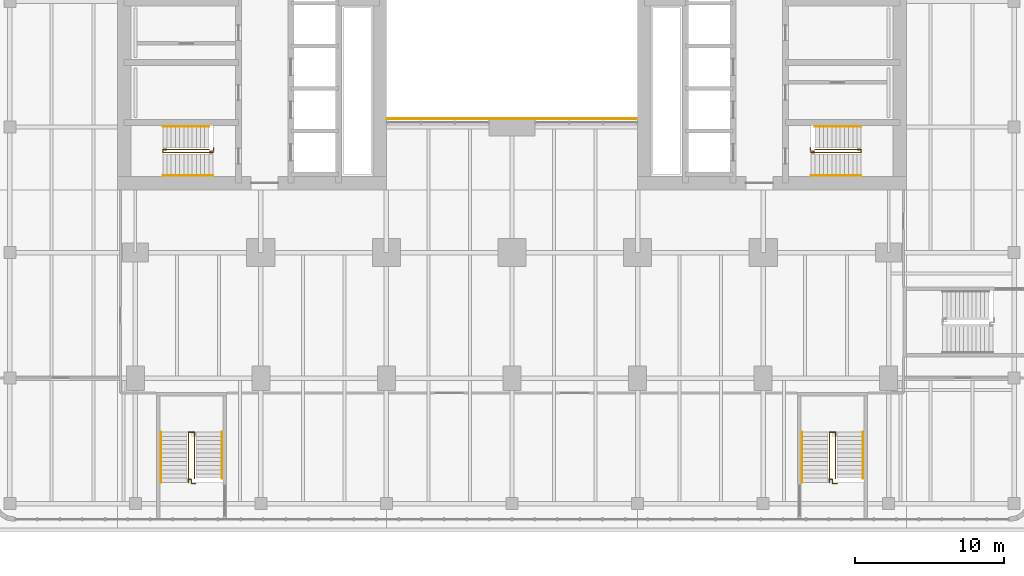
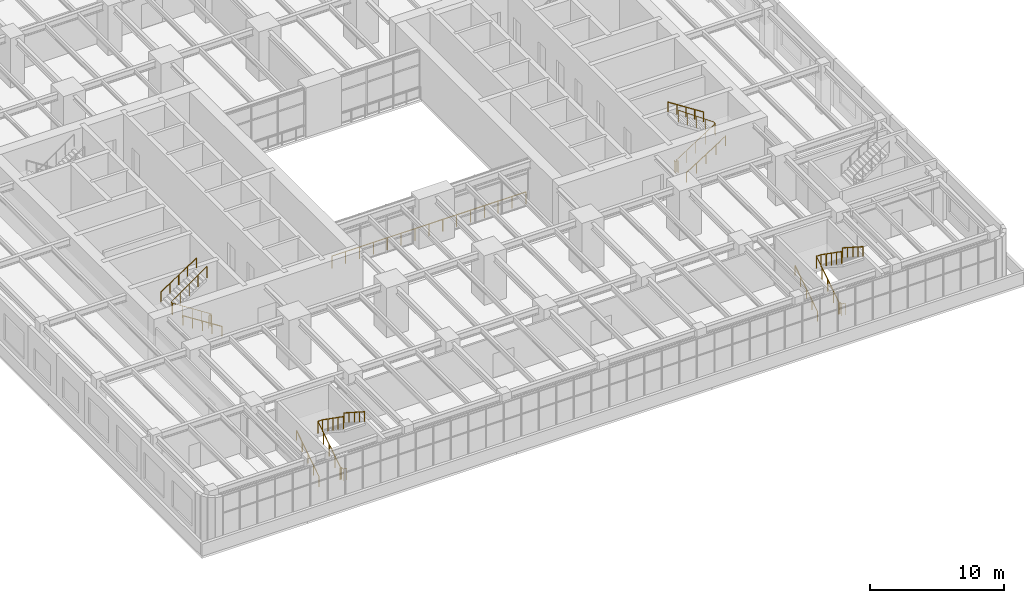
# One storey, part 24 of 30: 17 railings.
"""IFC4 building model written with IfcOpenShell, lengths in metres."""

from ifc_helpers import new_model, si_unit, direction, frame, origin, origin_2d, place, context, subcontext, project, spatial, circle, extrude, material, type_object, element, save


model = new_model("IFC4")

# Units and contexts
model_context = context("Model", 3, precision=1e-05, world=origin(), true_north=direction((0.0, 1.0)))
body_context = subcontext(model_context, "Body", "Model", "MODEL_VIEW")
ifc_project = project(units=[si_unit("LENGTHUNIT", "METRE"), si_unit("AREAUNIT", "SQUARE_METRE"), si_unit("VOLUMEUNIT", "CUBIC_METRE"), si_unit("PLANEANGLEUNIT", "RADIAN"), si_unit("MASSUNIT", "GRAM", prefix="KILO")], contexts=[model_context])

# Site, building, storey
site_placement = place(None, origin())
site = spatial("IfcSite", under=ifc_project, at=site_placement, CompositionType="ELEMENT")
building_placement = place(site_placement, origin())
building = spatial("IfcBuilding", under=site, at=building_placement, Name="Claustro Exchange Tower", CompositionType="ELEMENT")
storey_placement = place(building_placement, frame((0.0, 0.0, 5.39990234375)))
storey = spatial("IfcBuildingStorey", under=building, at=storey_placement, Name="L01", CompositionType="ELEMENT", Elevation=5.39990234375)

# Railings
ifc_material_1 = material(Name="Laminated glass, stainless steel rail", Category="steel")
railing_type_1 = type_object("IfcRailingType", Name="GR1 1100 glass balustrade guard", PredefinedType="BALUSTRADE", material=ifc_material_1)
railing_1_placement = place(storey_placement, frame((16.85009765625, 17.35009765625, 0.0)))
element("IfcRailing", 1, at=railing_1_placement, inside=storey, type_object=railing_type_1, Name="Atrium guard GR1 L01", PredefinedType="BALUSTRADE", context=body_context, shape_type="SweptSolid", body=[
    extrude(circle(Radius=0.02392578125, at=origin_2d()), frame((0.0, 0.0, 1.076171875), z_axis=(1.0, 0.0, 0.0), x_axis=(0.0, 1.0, 0.0)), (0.0, 0.0, 1.0), 16.699951171875),
    extrude(circle(Radius=0.02099609375, at=origin_2d()), origin(), (0.0, 0.0, 1.0), 1.052001953125),
    extrude(circle(Radius=0.02099609375, at=origin_2d()), frame((1.19287109375, 0.0, 0.0)), (0.0, 0.0, 1.0), 1.052001953125),
    extrude(circle(Radius=0.02099609375, at=origin_2d()), frame((2.3857421875, 0.0, 0.0)), (0.0, 0.0, 1.0), 1.052001953125),
    extrude(circle(Radius=0.02099609375, at=origin_2d()), frame((3.57861328125, 0.0, 0.0)), (0.0, 0.0, 1.0), 1.052001953125),
    extrude(circle(Radius=0.02099609375, at=origin_2d()), frame((4.771484375, 0.0, 0.0)), (0.0, 0.0, 1.0), 1.052001953125),
    extrude(circle(Radius=0.02099609375, at=origin_2d()), frame((5.96435546875, 0.0, 0.0)), (0.0, 0.0, 1.0), 1.052001953125),
    extrude(circle(Radius=0.02099609375, at=origin_2d()), frame((7.1572265625, 0.0, 0.0)), (0.0, 0.0, 1.0), 1.052001953125),
    extrude(circle(Radius=0.02099609375, at=origin_2d()), frame((8.35009765625, 0.0, 0.0)), (0.0, 0.0, 1.0), 1.052001953125),
    extrude(circle(Radius=0.02099609375, at=origin_2d()), frame((9.542724609375, 0.0, 0.0)), (0.0, 0.0, 1.0), 1.052001953125),
    extrude(circle(Radius=0.02099609375, at=origin_2d()), frame((10.735595703125, 0.0, 0.0)), (0.0, 0.0, 1.0), 1.052001953125),
    extrude(circle(Radius=0.02099609375, at=origin_2d()), frame((11.928466796875, 0.0, 0.0)), (0.0, 0.0, 1.0), 1.052001953125),
    extrude(circle(Radius=0.02099609375, at=origin_2d()), frame((13.121337890625, 0.0, 0.0)), (0.0, 0.0, 1.0), 1.052001953125),
    extrude(circle(Radius=0.02099609375, at=origin_2d()), frame((14.314208984375, 0.0, 0.0)), (0.0, 0.0, 1.0), 1.052001953125),
    extrude(circle(Radius=0.02099609375, at=origin_2d()), frame((15.507080078125, 0.0, 0.0)), (0.0, 0.0, 1.0), 1.052001953125),
    extrude(circle(Radius=0.02099609375, at=origin_2d()), frame((16.699951171875, 0.0, 0.0)), (0.0, 0.0, 1.0), 1.052001953125),
])
ifc_material_2 = material(Name="Steel balustrade, painted", Category="steel")
railing_type_2 = type_object("IfcRailingType", Name="GR2 1100 steel stair guard", PredefinedType="GUARDRAIL", material=ifc_material_2)
railing_2_placement = place(storey_placement, frame((5.199951171875, 15.10009765625, 0.18017578125)))
element("IfcRailing", 2, at=railing_2_placement, inside=storey, type_object=railing_type_2, Name="Stair well guard GR2 stair STWA L01", PredefinedType="GUARDRAIL", context=body_context, shape_type="SweptSolid", body=[
    extrude(circle(Radius=0.02392578125, at=origin_2d()), frame((0.0, 0.0, 1.076171875), z_axis=(-0.841178475377, 0.0, 0.540757591313), x_axis=(0.0, -1.0, 0.0)), (0.0, 0.0, 1.0), 3.994140625),
    extrude(circle(Radius=0.02392578125, at=origin_2d()), frame((-3.35986328125, 0.0, 3.23583984375), z_axis=(0.0, 1.0, 0.0), x_axis=(-1.0, 0.0, 0.0)), (0.0, 0.0, 1.0), 0.199951171875),
    extrude(circle(Radius=0.02392578125, at=origin_2d()), frame((-3.35986328125, 0.199951171875, 3.23583984375), z_axis=(0.818728512145, 0.0, 0.574180828137), x_axis=(0.0, 1.0, 0.0)), (0.0, 0.0, 1.0), 3.76171875),
    extrude(circle(Radius=0.02099609375, at=origin_2d()), origin(), (0.0, 0.0, 1.0), 1.052001953125),
    extrude(circle(Radius=0.02099609375, at=origin_2d()), frame((-0.83984375, 0.0, 0.5400390625)), (0.0, 0.0, 1.0), 1.052001953125),
    extrude(circle(Radius=0.02099609375, at=origin_2d()), frame((-1.679931640625, 0.0, 1.080078125)), (0.0, 0.0, 1.0), 1.052001953125),
    extrude(circle(Radius=0.02099609375, at=origin_2d()), frame((-2.52001953125, 0.0, 1.619873046875)), (0.0, 0.0, 1.0), 1.052001953125),
    extrude(circle(Radius=0.02099609375, at=origin_2d()), frame((-3.35986328125, 0.0, 2.159912109375)), (0.0, 0.0, 1.0), 1.052001953125),
    extrude(circle(Radius=0.02099609375, at=origin_2d()), frame((-3.35986328125, 0.199951171875, 2.159912109375)), (0.0, 0.0, 1.0), 1.052001953125),
    extrude(circle(Radius=0.02099609375, at=origin_2d()), frame((-2.58984375, 0.199951171875, 2.699951171875)), (0.0, 0.0, 1.0), 1.052001953125),
    extrude(circle(Radius=0.02099609375, at=origin_2d()), frame((-1.81982421875, 0.199951171875, 3.23974609375)), (0.0, 0.0, 1.0), 1.052001953125),
    extrude(circle(Radius=0.02099609375, at=origin_2d()), frame((-1.050048828125, 0.199951171875, 3.77978515625)), (0.0, 0.0, 1.0), 1.052001953125),
    extrude(circle(Radius=0.02099609375, at=origin_2d()), frame((-0.280029296875, 0.199951171875, 4.31982421875)), (0.0, 0.0, 1.0), 1.052001953125),
])
railing_3_placement = place(storey_placement, frame((5.0, 15.169921875, 0.0)))
element("IfcRailing", 3, at=railing_3_placement, inside=storey, type_object=railing_type_2, Name="Stair guard GR2 STWA L01", PredefinedType="GUARDRAIL", context=body_context, shape_type="SweptSolid", body=[
    extrude(circle(Radius=0.02392578125, at=origin_2d()), frame((0.0, 0.0, 1.076171875), z_axis=(0.0, 1.0, 0.0), x_axis=(-1.0, 0.0, 0.0)), (0.0, 0.0, 1.0), 0.030029296875),
    extrude(circle(Radius=0.02392578125, at=origin_2d()), frame((0.0, 0.030029296875, 1.076171875), z_axis=(1.0, 0.0, 0.0), x_axis=(0.0, 1.0, 0.0)), (0.0, 0.0, 1.0), 0.22509765625),
    extrude(circle(Radius=0.02392578125, at=origin_2d()), frame((0.22509765625, 0.030029296875, 1.076171875), z_axis=(0.0, 1.0, 0.0), x_axis=(-1.0, 0.0, 0.0)), (0.0, 0.0, 1.0), 0.179931640625),
    extrude(circle(Radius=0.02099609375, at=origin_2d()), origin(), (0.0, 0.0, 1.0), 1.052001953125),
    extrude(circle(Radius=0.02099609375, at=origin_2d()), frame((0.0, 0.030029296875, 0.0)), (0.0, 0.0, 1.0), 1.052001953125),
    extrude(circle(Radius=0.02099609375, at=origin_2d()), frame((0.22509765625, 0.030029296875, 0.0)), (0.0, 0.0, 1.0), 1.052001953125),
    extrude(circle(Radius=0.02099609375, at=origin_2d()), frame((0.22509765625, 0.2099609375, 0.0)), (0.0, 0.0, 1.0), 1.052001953125),
])
railing_4_placement = place(storey_placement, frame((45.199951171875, 15.10009765625, 0.18017578125)))
element("IfcRailing", 4, at=railing_4_placement, inside=storey, type_object=railing_type_2, Name="Stair well guard GR2 stair STEA L01", PredefinedType="GUARDRAIL", context=body_context, shape_type="SweptSolid", body=[
    extrude(circle(Radius=0.02392578125, at=origin_2d()), frame((0.0, 0.0, 1.076171875), z_axis=(0.84119634759, 0.0, 0.540729789082), x_axis=(0.0, 1.0, 0.0)), (0.0, 0.0, 1.0), 3.994384765625),
    extrude(circle(Radius=0.02392578125, at=origin_2d()), frame((3.360107421875, 0.0, 3.23583984375), z_axis=(0.0, 1.0, 0.0), x_axis=(-1.0, 0.0, 0.0)), (0.0, 0.0, 1.0), 0.199951171875),
    extrude(circle(Radius=0.02392578125, at=origin_2d()), frame((3.360107421875, 0.199951171875, 3.23583984375), z_axis=(-0.8187499073, 0.0, 0.574150319426), x_axis=(0.0, -1.0, 0.0)), (0.0, 0.0, 1.0), 3.761962890625),
    extrude(circle(Radius=0.02099609375, at=origin_2d()), origin(), (0.0, 0.0, 1.0), 1.052001953125),
    extrude(circle(Radius=0.02099609375, at=origin_2d()), frame((0.840087890625, 0.0, 0.5400390625)), (0.0, 0.0, 1.0), 1.052001953125),
    extrude(circle(Radius=0.02099609375, at=origin_2d()), frame((1.68017578125, 0.0, 1.080078125)), (0.0, 0.0, 1.0), 1.052001953125),
    extrude(circle(Radius=0.02099609375, at=origin_2d()), frame((2.52001953125, 0.0, 1.619873046875)), (0.0, 0.0, 1.0), 1.052001953125),
    extrude(circle(Radius=0.02099609375, at=origin_2d()), frame((3.360107421875, 0.0, 2.159912109375)), (0.0, 0.0, 1.0), 1.052001953125),
    extrude(circle(Radius=0.02099609375, at=origin_2d()), frame((3.360107421875, 0.199951171875, 2.159912109375)), (0.0, 0.0, 1.0), 1.052001953125),
    extrude(circle(Radius=0.02099609375, at=origin_2d()), frame((2.590087890625, 0.199951171875, 2.699951171875)), (0.0, 0.0, 1.0), 1.052001953125),
    extrude(circle(Radius=0.02099609375, at=origin_2d()), frame((1.820068359375, 0.199951171875, 3.23974609375)), (0.0, 0.0, 1.0), 1.052001953125),
    extrude(circle(Radius=0.02099609375, at=origin_2d()), frame((1.050048828125, 0.199951171875, 3.77978515625)), (0.0, 0.0, 1.0), 1.052001953125),
    extrude(circle(Radius=0.02099609375, at=origin_2d()), frame((0.280029296875, 0.199951171875, 4.31982421875)), (0.0, 0.0, 1.0), 1.052001953125),
])
railing_5_placement = place(storey_placement, frame((45.39990234375, 15.169921875, 0.0)))
element("IfcRailing", 5, at=railing_5_placement, inside=storey, type_object=railing_type_2, Name="Stair guard GR2 STEA L01", PredefinedType="GUARDRAIL", context=body_context, shape_type="SweptSolid", body=[
    extrude(circle(Radius=0.02392578125, at=origin_2d()), frame((0.0, 0.0, 1.076171875), z_axis=(0.0, 1.0, 0.0), x_axis=(-1.0, 0.0, 0.0)), (0.0, 0.0, 1.0), 0.030029296875),
    extrude(circle(Radius=0.02392578125, at=origin_2d()), frame((0.0, 0.030029296875, 1.076171875), z_axis=(-1.0, 0.0, 0.0), x_axis=(0.0, -1.0, 0.0)), (0.0, 0.0, 1.0), 0.224853515625),
    extrude(circle(Radius=0.02392578125, at=origin_2d()), frame((-0.224853515625, 0.030029296875, 1.076171875), z_axis=(0.0, 1.0, 0.0), x_axis=(-1.0, 0.0, 0.0)), (0.0, 0.0, 1.0), 0.179931640625),
    extrude(circle(Radius=0.02099609375, at=origin_2d()), origin(), (0.0, 0.0, 1.0), 1.052001953125),
    extrude(circle(Radius=0.02099609375, at=origin_2d()), frame((0.0, 0.030029296875, 0.0)), (0.0, 0.0, 1.0), 1.052001953125),
    extrude(circle(Radius=0.02099609375, at=origin_2d()), frame((-0.224853515625, 0.030029296875, 0.0)), (0.0, 0.0, 1.0), 1.052001953125),
    extrude(circle(Radius=0.02099609375, at=origin_2d()), frame((-0.224853515625, 0.2099609375, 0.0)), (0.0, 0.0, 1.0), 1.052001953125),
])
railing_6_placement = place(storey_placement, frame((3.550048828125, -6.97998046875, 0.18017578125)))
element("IfcRailing", 6, at=railing_6_placement, inside=storey, type_object=railing_type_2, Name="Stair well guard GR2 stair STP1 L01", PredefinedType="GUARDRAIL", context=body_context, shape_type="SweptSolid", body=[
    extrude(circle(Radius=0.02392578125, at=origin_2d()), frame((0.0, 0.0, 1.076171875), z_axis=(0.0, 0.841178475377, 0.540757591313), x_axis=(-1.0, 0.0, 0.0)), (0.0, 0.0, 1.0), 3.994140625),
    extrude(circle(Radius=0.02392578125, at=origin_2d()), frame((0.0, 3.35986328125, 3.23583984375), z_axis=(1.0, 0.0, 0.0), x_axis=(0.0, 1.0, 0.0)), (0.0, 0.0, 1.0), 0.39990234375),
    extrude(circle(Radius=0.02392578125, at=origin_2d()), frame((0.39990234375, 3.35986328125, 3.23583984375), z_axis=(0.0, -0.818728512145, 0.574180828137), x_axis=(1.0, 0.0, 0.0)), (0.0, 0.0, 1.0), 3.76171875),
    extrude(circle(Radius=0.02099609375, at=origin_2d()), origin(), (0.0, 0.0, 1.0), 1.052001953125),
    extrude(circle(Radius=0.02099609375, at=origin_2d()), frame((0.0, 0.83984375, 0.5400390625)), (0.0, 0.0, 1.0), 1.052001953125),
    extrude(circle(Radius=0.02099609375, at=origin_2d()), frame((0.0, 1.679931640625, 1.080078125)), (0.0, 0.0, 1.0), 1.052001953125),
    extrude(circle(Radius=0.02099609375, at=origin_2d()), frame((0.0, 2.52001953125, 1.619873046875)), (0.0, 0.0, 1.0), 1.052001953125),
    extrude(circle(Radius=0.02099609375, at=origin_2d()), frame((0.0, 3.35986328125, 2.159912109375)), (0.0, 0.0, 1.0), 1.052001953125),
    extrude(circle(Radius=0.02099609375, at=origin_2d()), frame((0.39990234375, 3.35986328125, 2.159912109375)), (0.0, 0.0, 1.0), 1.052001953125),
    extrude(circle(Radius=0.02099609375, at=origin_2d()), frame((0.39990234375, 2.58984375, 2.699951171875)), (0.0, 0.0, 1.0), 1.052001953125),
    extrude(circle(Radius=0.02099609375, at=origin_2d()), frame((0.39990234375, 1.81982421875, 3.23974609375)), (0.0, 0.0, 1.0), 1.052001953125),
    extrude(circle(Radius=0.02099609375, at=origin_2d()), frame((0.39990234375, 1.050048828125, 3.77978515625)), (0.0, 0.0, 1.0), 1.052001953125),
    extrude(circle(Radius=0.02099609375, at=origin_2d()), frame((0.39990234375, 0.280029296875, 4.31982421875)), (0.0, 0.0, 1.0), 1.052001953125),
])
railing_7_placement = place(storey_placement, frame((3.6201171875, -6.780029296875, 0.0)))
element("IfcRailing", 7, at=railing_7_placement, inside=storey, type_object=railing_type_2, Name="Stair guard GR2 STP1 L01", PredefinedType="GUARDRAIL", context=body_context, shape_type="SweptSolid", body=[
    extrude(circle(Radius=0.02392578125, at=origin_2d()), frame((0.0, 0.0, 1.076171875), z_axis=(1.0, 0.0, 0.0), x_axis=(0.0, 1.0, 0.0)), (0.0, 0.0, 1.0), 0.1298828125),
    extrude(circle(Radius=0.02392578125, at=origin_2d()), frame((0.1298828125, 0.0, 1.076171875), z_axis=(0.0, -1.0, 0.0), x_axis=(1.0, 0.0, 0.0)), (0.0, 0.0, 1.0), 0.27490234375),
    extrude(circle(Radius=0.02392578125, at=origin_2d()), frame((0.1298828125, -0.27490234375, 1.076171875), z_axis=(1.0, 0.0, 0.0), x_axis=(0.0, 1.0, 0.0)), (0.0, 0.0, 1.0), 0.280029296875),
    extrude(circle(Radius=0.02099609375, at=origin_2d()), origin(), (0.0, 0.0, 1.0), 1.052001953125),
    extrude(circle(Radius=0.02099609375, at=origin_2d()), frame((0.1298828125, 0.0, 0.0)), (0.0, 0.0, 1.0), 1.052001953125),
    extrude(circle(Radius=0.02099609375, at=origin_2d()), frame((0.1298828125, -0.27490234375, 0.0)), (0.0, 0.0, 1.0), 1.052001953125),
    extrude(circle(Radius=0.02099609375, at=origin_2d()), frame((0.409912109375, -0.27490234375, 0.0)), (0.0, 0.0, 1.0), 1.052001953125),
])
railing_8_placement = place(storey_placement, frame((46.449951171875, -6.97998046875, 0.18017578125)))
element("IfcRailing", 8, at=railing_8_placement, inside=storey, type_object=railing_type_2, Name="Stair well guard GR2 stair STP2 L01", PredefinedType="GUARDRAIL", context=body_context, shape_type="SweptSolid", body=[
    extrude(circle(Radius=0.02392578125, at=origin_2d()), frame((0.0, 0.0, 1.076171875), z_axis=(0.0, 0.841178475377, 0.540757591313), x_axis=(-1.0, 0.0, 0.0)), (0.0, 0.0, 1.0), 3.994140625),
    extrude(circle(Radius=0.02392578125, at=origin_2d()), frame((0.0, 3.35986328125, 3.23583984375), z_axis=(1.0, 0.0, 0.0), x_axis=(0.0, 1.0, 0.0)), (0.0, 0.0, 1.0), 0.400146484375),
    extrude(circle(Radius=0.02392578125, at=origin_2d()), frame((0.400146484375, 3.35986328125, 3.23583984375), z_axis=(0.0, -0.818728512145, 0.574180828137), x_axis=(1.0, 0.0, 0.0)), (0.0, 0.0, 1.0), 3.76171875),
    extrude(circle(Radius=0.02099609375, at=origin_2d()), origin(), (0.0, 0.0, 1.0), 1.052001953125),
    extrude(circle(Radius=0.02099609375, at=origin_2d()), frame((0.0, 0.83984375, 0.5400390625)), (0.0, 0.0, 1.0), 1.052001953125),
    extrude(circle(Radius=0.02099609375, at=origin_2d()), frame((0.0, 1.679931640625, 1.080078125)), (0.0, 0.0, 1.0), 1.052001953125),
    extrude(circle(Radius=0.02099609375, at=origin_2d()), frame((0.0, 2.52001953125, 1.619873046875)), (0.0, 0.0, 1.0), 1.052001953125),
    extrude(circle(Radius=0.02099609375, at=origin_2d()), frame((0.0, 3.35986328125, 2.159912109375)), (0.0, 0.0, 1.0), 1.052001953125),
    extrude(circle(Radius=0.02099609375, at=origin_2d()), frame((0.400146484375, 3.35986328125, 2.159912109375)), (0.0, 0.0, 1.0), 1.052001953125),
    extrude(circle(Radius=0.02099609375, at=origin_2d()), frame((0.400146484375, 2.58984375, 2.699951171875)), (0.0, 0.0, 1.0), 1.052001953125),
    extrude(circle(Radius=0.02099609375, at=origin_2d()), frame((0.400146484375, 1.81982421875, 3.23974609375)), (0.0, 0.0, 1.0), 1.052001953125),
    extrude(circle(Radius=0.02099609375, at=origin_2d()), frame((0.400146484375, 1.050048828125, 3.77978515625)), (0.0, 0.0, 1.0), 1.052001953125),
    extrude(circle(Radius=0.02099609375, at=origin_2d()), frame((0.400146484375, 0.280029296875, 4.31982421875)), (0.0, 0.0, 1.0), 1.052001953125),
])
railing_9_placement = place(storey_placement, frame((46.52001953125, -6.780029296875, 0.0)))
element("IfcRailing", 9, at=railing_9_placement, inside=storey, type_object=railing_type_2, Name="Stair guard GR2 STP2 L01", PredefinedType="GUARDRAIL", context=body_context, shape_type="SweptSolid", body=[
    extrude(circle(Radius=0.02392578125, at=origin_2d()), frame((0.0, 0.0, 1.076171875), z_axis=(1.0, 0.0, 0.0), x_axis=(0.0, 1.0, 0.0)), (0.0, 0.0, 1.0), 0.1298828125),
    extrude(circle(Radius=0.02392578125, at=origin_2d()), frame((0.1298828125, 0.0, 1.076171875), z_axis=(0.0, -1.0, 0.0), x_axis=(1.0, 0.0, 0.0)), (0.0, 0.0, 1.0), 0.27490234375),
    extrude(circle(Radius=0.02392578125, at=origin_2d()), frame((0.1298828125, -0.27490234375, 1.076171875), z_axis=(1.0, 0.0, 0.0), x_axis=(0.0, 1.0, 0.0)), (0.0, 0.0, 1.0), 0.280029296875),
    extrude(circle(Radius=0.02099609375, at=origin_2d()), origin(), (0.0, 0.0, 1.0), 1.052001953125),
    extrude(circle(Radius=0.02099609375, at=origin_2d()), frame((0.1298828125, 0.0, 0.0)), (0.0, 0.0, 1.0), 1.052001953125),
    extrude(circle(Radius=0.02099609375, at=origin_2d()), frame((0.1298828125, -0.27490234375, 0.0)), (0.0, 0.0, 1.0), 1.052001953125),
    extrude(circle(Radius=0.02099609375, at=origin_2d()), frame((0.409912109375, -0.27490234375, 0.0)), (0.0, 0.0, 1.0), 1.052001953125),
])
ifc_material_3 = material(Name="Stainless steel tube", Category="steel")
railing_type_3 = type_object("IfcRailingType", Name="HR1 900 stair handrail", PredefinedType="HANDRAIL", material=ifc_material_3)
railing_10_placement = place(storey_placement, frame((5.199951171875, 13.56005859375, 0.18017578125)))
element("IfcRailing", 10, at=railing_10_placement, inside=storey, type_object=railing_type_3, Name="Handrail HR1 stair STWA L01", PredefinedType="HANDRAIL", context=body_context, shape_type="SweptSolid", body=[
    extrude(circle(Radius=0.02392578125, at=origin_2d()), frame((0.0, 0.0, 0.8759765625), z_axis=(-0.841178475377, 0.0, 0.540757591313), x_axis=(0.0, -1.0, 0.0)), (0.0, 0.0, 1.0), 3.994140625),
    extrude(circle(Radius=0.02099609375, at=origin_2d()), origin(), (0.0, 0.0, 1.0), 0.851806640625),
    extrude(circle(Radius=0.02099609375, at=origin_2d()), frame((-0.83984375, 0.0, 0.5400390625)), (0.0, 0.0, 1.0), 0.851806640625),
    extrude(circle(Radius=0.02099609375, at=origin_2d()), frame((-1.679931640625, 0.0, 1.080078125)), (0.0, 0.0, 1.0), 0.851806640625),
    extrude(circle(Radius=0.02099609375, at=origin_2d()), frame((-2.52001953125, 0.0, 1.619873046875)), (0.0, 0.0, 1.0), 0.851806640625),
    extrude(circle(Radius=0.02099609375, at=origin_2d()), frame((-3.35986328125, 0.0, 2.159912109375)), (0.0, 0.0, 1.0), 0.851806640625),
])
railing_11_placement = place(storey_placement, frame((1.840087890625, 16.840087890625, 2.52001953125)))
element("IfcRailing", 11, at=railing_11_placement, inside=storey, type_object=railing_type_3, Name="Handrail HR1 stair STWA L01", PredefinedType="HANDRAIL", context=body_context, shape_type="SweptSolid", body=[
    extrude(circle(Radius=0.02392578125, at=origin_2d()), frame((0.0, 0.0, 0.8759765625), z_axis=(0.841167642724, 0.0, 0.540774441735), x_axis=(0.0, 1.0, 0.0)), (0.0, 0.0, 1.0), 3.661376953125),
    extrude(circle(Radius=0.02099609375, at=origin_2d()), origin(), (0.0, 0.0, 1.0), 0.851806640625),
    extrude(circle(Radius=0.02099609375, at=origin_2d()), frame((0.77001953125, 0.0, 0.4951171875)), (0.0, 0.0, 1.0), 0.851806640625),
    extrude(circle(Radius=0.02099609375, at=origin_2d()), frame((1.5400390625, 0.0, 0.989990234375)), (0.0, 0.0, 1.0), 0.851806640625),
    extrude(circle(Radius=0.02099609375, at=origin_2d()), frame((2.309814453125, 0.0, 1.48486328125)), (0.0, 0.0, 1.0), 0.851806640625),
    extrude(circle(Radius=0.02099609375, at=origin_2d()), frame((3.079833984375, 0.0, 1.97998046875)), (0.0, 0.0, 1.0), 0.851806640625),
])
railing_12_placement = place(storey_placement, frame((45.199951171875, 13.56005859375, 0.18017578125)))
element("IfcRailing", 12, at=railing_12_placement, inside=storey, type_object=railing_type_3, Name="Handrail HR1 stair STEA L01", PredefinedType="HANDRAIL", context=body_context, shape_type="SweptSolid", body=[
    extrude(circle(Radius=0.02392578125, at=origin_2d()), frame((0.0, 0.0, 0.8759765625), z_axis=(0.84119634759, 0.0, 0.540729789082), x_axis=(0.0, 1.0, 0.0)), (0.0, 0.0, 1.0), 3.994384765625),
    extrude(circle(Radius=0.02099609375, at=origin_2d()), origin(), (0.0, 0.0, 1.0), 0.851806640625),
    extrude(circle(Radius=0.02099609375, at=origin_2d()), frame((0.840087890625, 0.0, 0.5400390625)), (0.0, 0.0, 1.0), 0.851806640625),
    extrude(circle(Radius=0.02099609375, at=origin_2d()), frame((1.68017578125, 0.0, 1.080078125)), (0.0, 0.0, 1.0), 0.851806640625),
    extrude(circle(Radius=0.02099609375, at=origin_2d()), frame((2.52001953125, 0.0, 1.619873046875)), (0.0, 0.0, 1.0), 0.851806640625),
    extrude(circle(Radius=0.02099609375, at=origin_2d()), frame((3.360107421875, 0.0, 2.159912109375)), (0.0, 0.0, 1.0), 0.851806640625),
])
railing_13_placement = place(storey_placement, frame((48.56005859375, 16.840087890625, 2.52001953125)))
element("IfcRailing", 13, at=railing_13_placement, inside=storey, type_object=railing_type_3, Name="Handrail HR1 stair STEA L01", PredefinedType="HANDRAIL", context=body_context, shape_type="SweptSolid", body=[
    extrude(circle(Radius=0.02392578125, at=origin_2d()), frame((0.0, 0.0, 0.8759765625), z_axis=(-0.84118714077, 0.0, 0.540744111576), x_axis=(0.0, -1.0, 0.0)), (0.0, 0.0, 1.0), 3.66162109375),
    extrude(circle(Radius=0.02099609375, at=origin_2d()), origin(), (0.0, 0.0, 1.0), 0.851806640625),
    extrude(circle(Radius=0.02099609375, at=origin_2d()), frame((-0.77001953125, 0.0, 0.4951171875)), (0.0, 0.0, 1.0), 0.851806640625),
    extrude(circle(Radius=0.02099609375, at=origin_2d()), frame((-1.5400390625, 0.0, 0.989990234375)), (0.0, 0.0, 1.0), 0.851806640625),
    extrude(circle(Radius=0.02099609375, at=origin_2d()), frame((-2.31005859375, 0.0, 1.48486328125)), (0.0, 0.0, 1.0), 0.851806640625),
    extrude(circle(Radius=0.02099609375, at=origin_2d()), frame((-3.080078125, 0.0, 1.97998046875)), (0.0, 0.0, 1.0), 0.851806640625),
])
railing_14_placement = place(storey_placement, frame((1.7099609375, -6.97998046875, 0.18017578125)))
element("IfcRailing", 14, at=railing_14_placement, inside=storey, type_object=railing_type_3, Name="Handrail HR1 stair STP1 L01", PredefinedType="HANDRAIL", context=body_context, shape_type="SweptSolid", body=[
    extrude(circle(Radius=0.02392578125, at=origin_2d()), frame((0.0, 0.0, 0.8759765625), z_axis=(0.0, 0.841178475377, 0.540757591313), x_axis=(-1.0, 0.0, 0.0)), (0.0, 0.0, 1.0), 3.994140625),
    extrude(circle(Radius=0.02099609375, at=origin_2d()), origin(), (0.0, 0.0, 1.0), 0.851806640625),
    extrude(circle(Radius=0.02099609375, at=origin_2d()), frame((0.0, 0.83984375, 0.5400390625)), (0.0, 0.0, 1.0), 0.851806640625),
    extrude(circle(Radius=0.02099609375, at=origin_2d()), frame((0.0, 1.679931640625, 1.080078125)), (0.0, 0.0, 1.0), 0.851806640625),
    extrude(circle(Radius=0.02099609375, at=origin_2d()), frame((0.0, 2.52001953125, 1.619873046875)), (0.0, 0.0, 1.0), 0.851806640625),
    extrude(circle(Radius=0.02099609375, at=origin_2d()), frame((0.0, 3.35986328125, 2.159912109375)), (0.0, 0.0, 1.0), 0.851806640625),
])
railing_15_placement = place(storey_placement, frame((5.7900390625, -3.6201171875, 2.52001953125)))
element("IfcRailing", 15, at=railing_15_placement, inside=storey, type_object=railing_type_3, Name="Handrail HR1 stair STP1 L01", PredefinedType="HANDRAIL", context=body_context, shape_type="SweptSolid", body=[
    extrude(circle(Radius=0.02392578125, at=origin_2d()), frame((0.0, 0.0, 0.8759765625), z_axis=(0.0, -0.841167642724, 0.540774441735), x_axis=(1.0, 0.0, 0.0)), (0.0, 0.0, 1.0), 3.661376953125),
    extrude(circle(Radius=0.02099609375, at=origin_2d()), origin(), (0.0, 0.0, 1.0), 0.851806640625),
    extrude(circle(Radius=0.02099609375, at=origin_2d()), frame((0.0, -0.77001953125, 0.4951171875)), (0.0, 0.0, 1.0), 0.851806640625),
    extrude(circle(Radius=0.02099609375, at=origin_2d()), frame((0.0, -1.5400390625, 0.989990234375)), (0.0, 0.0, 1.0), 0.851806640625),
    extrude(circle(Radius=0.02099609375, at=origin_2d()), frame((0.0, -2.309814453125, 1.48486328125)), (0.0, 0.0, 1.0), 0.851806640625),
    extrude(circle(Radius=0.02099609375, at=origin_2d()), frame((0.0, -3.079833984375, 1.97998046875)), (0.0, 0.0, 1.0), 0.851806640625),
])
railing_16_placement = place(storey_placement, frame((44.610107421875, -6.97998046875, 0.18017578125)))
element("IfcRailing", 16, at=railing_16_placement, inside=storey, type_object=railing_type_3, Name="Handrail HR1 stair STP2 L01", PredefinedType="HANDRAIL", context=body_context, shape_type="SweptSolid", body=[
    extrude(circle(Radius=0.02392578125, at=origin_2d()), frame((0.0, 0.0, 0.8759765625), z_axis=(0.0, 0.841178475377, 0.540757591313), x_axis=(-1.0, 0.0, 0.0)), (0.0, 0.0, 1.0), 3.994140625),
    extrude(circle(Radius=0.02099609375, at=origin_2d()), origin(), (0.0, 0.0, 1.0), 0.851806640625),
    extrude(circle(Radius=0.02099609375, at=origin_2d()), frame((0.0, 0.83984375, 0.5400390625)), (0.0, 0.0, 1.0), 0.851806640625),
    extrude(circle(Radius=0.02099609375, at=origin_2d()), frame((0.0, 1.679931640625, 1.080078125)), (0.0, 0.0, 1.0), 0.851806640625),
    extrude(circle(Radius=0.02099609375, at=origin_2d()), frame((0.0, 2.52001953125, 1.619873046875)), (0.0, 0.0, 1.0), 0.851806640625),
    extrude(circle(Radius=0.02099609375, at=origin_2d()), frame((0.0, 3.35986328125, 2.159912109375)), (0.0, 0.0, 1.0), 0.851806640625),
])
railing_17_placement = place(storey_placement, frame((48.68994140625, -3.6201171875, 2.52001953125)))
element("IfcRailing", 17, at=railing_17_placement, inside=storey, type_object=railing_type_3, Name="Handrail HR1 stair STP2 L01", PredefinedType="HANDRAIL", context=body_context, shape_type="SweptSolid", body=[
    extrude(circle(Radius=0.02392578125, at=origin_2d()), frame((0.0, 0.0, 0.8759765625), z_axis=(0.0, -0.841167642724, 0.540774441735), x_axis=(1.0, 0.0, 0.0)), (0.0, 0.0, 1.0), 3.661376953125),
    extrude(circle(Radius=0.02099609375, at=origin_2d()), origin(), (0.0, 0.0, 1.0), 0.851806640625),
    extrude(circle(Radius=0.02099609375, at=origin_2d()), frame((0.0, -0.77001953125, 0.4951171875)), (0.0, 0.0, 1.0), 0.851806640625),
    extrude(circle(Radius=0.02099609375, at=origin_2d()), frame((0.0, -1.5400390625, 0.989990234375)), (0.0, 0.0, 1.0), 0.851806640625),
    extrude(circle(Radius=0.02099609375, at=origin_2d()), frame((0.0, -2.309814453125, 1.48486328125)), (0.0, 0.0, 1.0), 0.851806640625),
    extrude(circle(Radius=0.02099609375, at=origin_2d()), frame((0.0, -3.079833984375, 1.97998046875)), (0.0, 0.0, 1.0), 0.851806640625),
])

save(model, "model.ifc")
